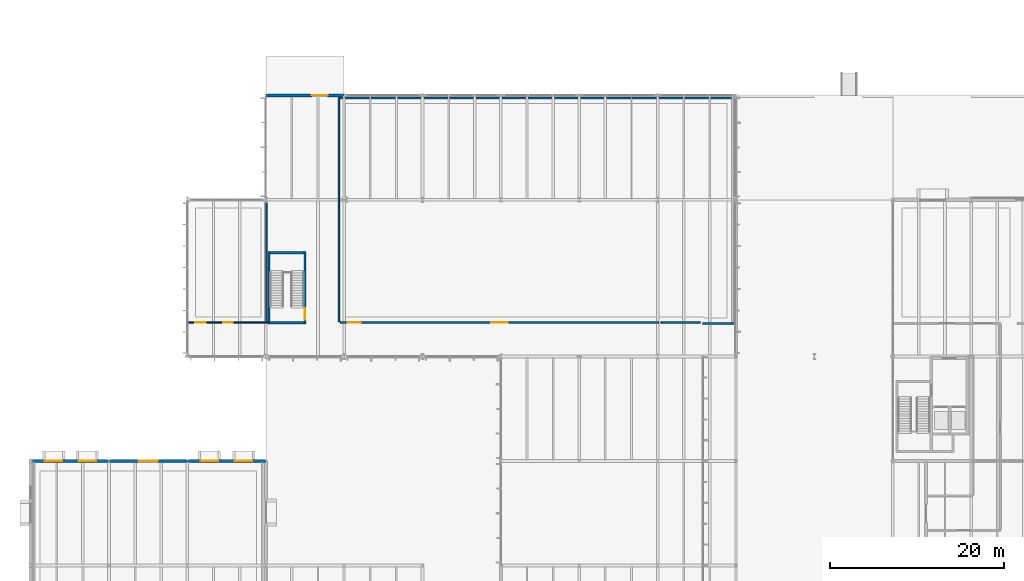
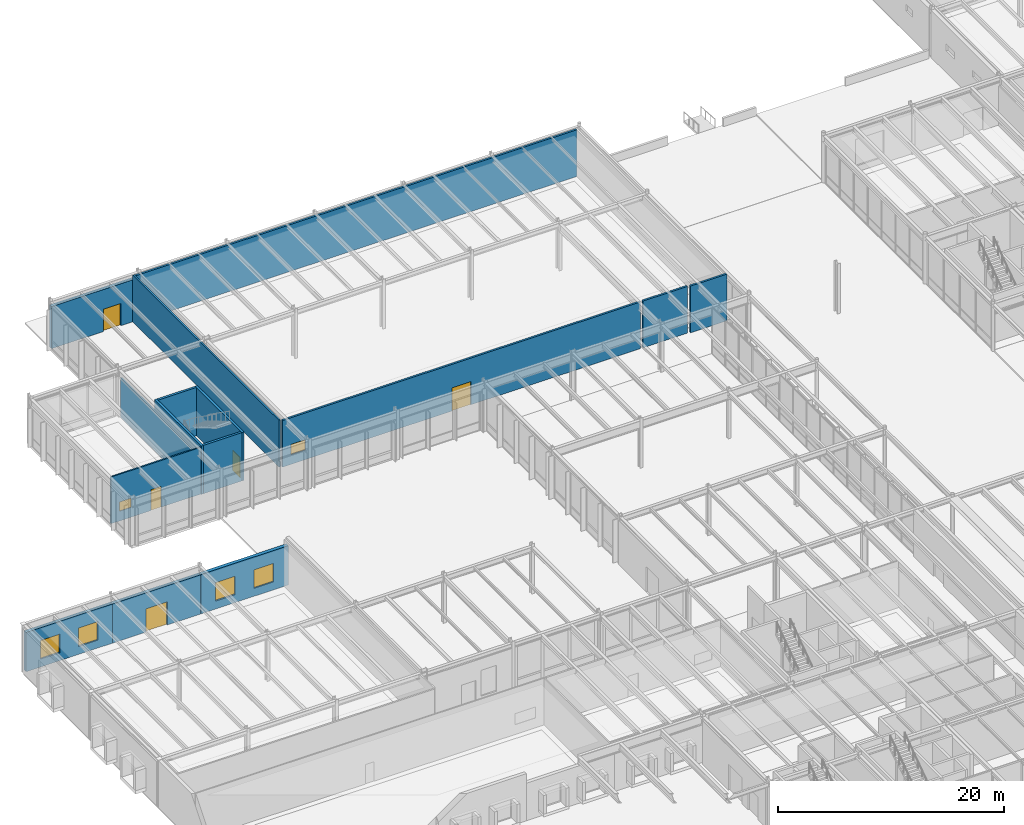
# One storey, part 125 of 143: 15 walls, 6 windows, 5 doors, 11 openings.
"""IFC4 building model written with IfcOpenShell, lengths in metres."""

from ifc_helpers import new_model, si_unit, direction, frame, frame_2d, origin, place, context, subcontext, project, spatial, rectangle, extrude, material, layer, layer_set, type_object, element, fill, save


model = new_model("IFC4")

# Units and contexts
model_context = context("Model", 3, precision=1e-05, world=origin(), true_north=direction((0.0, 1.0)))
body_context = subcontext(model_context, "Body", "Model", "MODEL_VIEW")
ifc_project = project(units=[si_unit("LENGTHUNIT", "METRE"), si_unit("AREAUNIT", "SQUARE_METRE"), si_unit("VOLUMEUNIT", "CUBIC_METRE"), si_unit("PLANEANGLEUNIT", "RADIAN"), si_unit("MASSUNIT", "GRAM", prefix="KILO")], contexts=[model_context])

# Site, building, storey
site_placement = place(None, origin())
site = spatial("IfcSite", under=ifc_project, at=site_placement, CompositionType="ELEMENT")
building_placement = place(site_placement, origin())
building = spatial("IfcBuilding", under=site, at=building_placement, Name="Montelvaro Courts of Justice", CompositionType="ELEMENT")
storey_placement = place(building_placement, origin())
storey = spatial("IfcBuildingStorey", under=building, at=storey_placement, Name="L00", CompositionType="ELEMENT", Elevation=0.0)

# Wall
ifc_material_1 = material(Name="Gypsum board on metal stud")
ifc_layer_1 = layer(ifc_material_1, 0.14990234375)
ifc_layer_set_1 = layer_set([ifc_layer_1], Name="Gypsum board on metal stud")
wall_type_1 = type_object("IfcWallType", Name="ChambersPartition_150", PredefinedType="PARTITIONING", material=ifc_layer_set_1)
wall_1_placement = place(storey_placement, frame((27.10009765625, 95.6201171875, 0.0), z_axis=(0.0, 0.0, 1.0), x_axis=(0.0, -1.0, 0.0)))
element("IfcWall", 1, at=wall_1_placement, inside=storey, type_object=wall_type_1, Name="Interior Partition IW-04 (L00)", PredefinedType="PARTITIONING", context=body_context, shape_type="SweptSolid", body=[
    extrude(rectangle(XDim=13.64013671875, YDim=0.14990234375, at=frame_2d((6.820068359375, 0.0))), origin(), (0.0, 0.0, 1.0), 4.27490234375),
])

# Wall, openings, door, window
wall_2_placement = place(storey_placement, frame((27.264892578125, 81.89990234375, 0.0), z_axis=(0.0, 0.0, 1.0), x_axis=(-1.0, 0.0, 0.0)))
wall_2 = element("IfcWall", 2, at=wall_2_placement, inside=storey, type_object=wall_type_1, Name="Interior Partition IW-04 (L00)", PredefinedType="PARTITIONING", context=body_context, shape_type="SweptSolid", body=[
    extrude(rectangle(XDim=9.18994140625, YDim=0.14990234375, at=frame_2d((4.594970703125, 0.0))), origin(), (0.0, 0.0, 1.0), 5.0400390625),
])
opening_1_placement = place(wall_2_placement, frame((4.070068359375, 0.0, 0.0)))
opening_1 = element("IfcOpeningElement", 3, at=opening_1_placement, cuts=wall_2, Name="Opening D-L00-033", PredefinedType="OPENING", context=body_context, shape_type="SweptSolid", body=[
    extrude(rectangle(XDim=1.050048828125, YDim=2.25, at=frame_2d((0.52490234375, 1.125))), frame((0.0, 0.08984375, 0.0), z_axis=(0.0, -1.0, 0.0), x_axis=(1.0, 0.0, 0.0)), (0.0, 0.0, 1.0), 0.1796875),
])
opening_2_placement = place(wall_2_placement, frame((7.139892578125, 0.0, 1.050048828125)))
opening_2 = element("IfcOpeningElement", 4, at=opening_2_placement, cuts=wall_2, Name="Opening WI-03", PredefinedType="OPENING", context=body_context, shape_type="SweptSolid", body=[
    extrude(rectangle(XDim=1.199951171875, YDim=1.0, at=frame_2d((0.60009765625, 0.5))), frame((0.0, 0.08984375, 0.0), z_axis=(0.0, -1.0, 0.0), x_axis=(1.0, 0.0, 0.0)), (0.0, 0.0, 1.0), 0.1796875),
])
ifc_material_2 = material(Name="Acoustic oak timber veneer", Category="wood")
door_type_1 = type_object("IfcDoorType", Name="ChamberDoor_105x225", OperationType="NOTDEFINED", PredefinedType="DOOR", material=ifc_material_2)
door_1_placement = place(opening_1_placement, frame((1.050048828125, 0.0, 0.0), z_axis=(0.0, 0.0, 1.0), x_axis=(-1.0, 0.0, 0.0)))
door_1 = element("IfcDoor", 5, at=door_1_placement, inside=storey, type_object=door_type_1, Name="Interior Door D-L00-033 (Judicial Robing and Protocol Suite)", OperationType="SINGLE_SWING_LEFT", OverallHeight=2.25, OverallWidth=1.050048828125, PredefinedType="DOOR", context=body_context, shape_type="SweptSolid", body=[
    extrude(rectangle(XDim=1.050048828125, YDim=2.25, at=frame_2d((0.52490234375, 1.125))), frame((0.0, 0.02490234375, 0.0), z_axis=(0.0, -1.0, 0.0), x_axis=(1.0, 0.0, 0.0)), (0.0, 0.0, 1.0), 0.050048828125),
])
fill(opening_1, door_1)
ifc_material_3 = material(Name="Acoustic laminated double glazing", Category="glass")
window_type_1 = type_object("IfcWindowType", Name="IntVision_120x100", PartitioningType="SINGLE_PANEL", PredefinedType="WINDOW", material=ifc_material_3)
window_1_placement = place(opening_2_placement, origin())
window_1 = element("IfcWindow", 6, at=window_1_placement, inside=storey, type_object=window_type_1, Name="Interior Vision Panel WI-015", OverallHeight=1.0, OverallWidth=1.199951171875, PartitioningType="SINGLE_PANEL", PredefinedType="WINDOW", context=body_context, shape_type="SweptSolid", body=[
    extrude(rectangle(XDim=1.199951171875, YDim=1.0, at=frame_2d((0.60009765625, 0.5))), frame((0.0, 0.030029296875, 0.0), z_axis=(0.0, -1.0, 0.0), x_axis=(1.0, 0.0, 0.0)), (0.0, 0.0, 1.0), 0.06005859375),
])
fill(opening_2, window_1)

# Walls
ifc_material_4 = material(Name="Fire-rated gypsum and steel stud", Category="steel")
ifc_layer_2 = layer(ifc_material_4, 0.179931640625)
ifc_layer_set_2 = layer_set([ifc_layer_2], Name="Fire-rated gypsum and steel stud")
wall_type_2 = type_object("IfcWallType", Name="CorridorFireWall_180", PredefinedType="PARTITIONING", material=ifc_layer_set_2)
wall_3_placement = place(storey_placement, frame((35.39990234375, 107.830078125, 0.0), z_axis=(0.0, 0.0, 1.0), x_axis=(0.0, -1.0, 0.0)))
element("IfcWall", 7, at=wall_3_placement, inside=storey, type_object=wall_type_2, Name="Interior Partition IW-02 (L00)", PredefinedType="PARTITIONING", context=body_context, shape_type="SweptSolid", body=[
    extrude(rectangle(XDim=25.85009765625, YDim=0.179931640625, at=frame_2d((12.925048828125, 0.0))), origin(), (0.0, 0.0, 1.0), 5.0400390625),
])
ifc_material_5 = material(Name="Gypsum acoustic double stud with mineral wool")
ifc_layer_3 = layer(ifc_material_5, 0.199951171875)
ifc_layer_set_3 = layer_set([ifc_layer_3], Name="Gypsum acoustic double stud with mineral wool")
wall_type_3 = type_object("IfcWallType", Name="CourtAcousticWall_200", PredefinedType="PARTITIONING", material=ifc_layer_set_3)
wall_4_placement = place(storey_placement, frame((76.919921875, 81.89990234375, 0.0), z_axis=(0.0, 0.0, 1.0), x_axis=(-1.0, 0.0, 0.0)))
element("IfcWall", 8, at=wall_4_placement, inside=storey, type_object=wall_type_3, Name="Interior Partition IW-01 (L00)", PredefinedType="PARTITIONING", context=body_context, shape_type="SweptSolid", body=[
    extrude(rectangle(XDim=4.5400390625, YDim=0.199951171875, at=frame_2d((2.27001953125, 0.0))), origin(), (0.0, 0.0, 1.0), 5.0400390625),
])

# Wall, openings, door, window
wall_5_placement = place(storey_placement, frame((72.1201171875, 81.89990234375, 0.0), z_axis=(0.0, 0.0, 1.0), x_axis=(-1.0, 0.0, 0.0)))
wall_5 = element("IfcWall", 9, at=wall_5_placement, inside=storey, type_object=wall_type_3, Name="Interior Partition IW-01 (L00)", PredefinedType="PARTITIONING", context=body_context, shape_type="SweptSolid", body=[
    extrude(rectangle(XDim=36.5400390625, YDim=0.199951171875, at=frame_2d((18.27001953125, 0.0))), origin(), (0.0, 0.0, 1.0), 5.0400390625),
])
opening_3_placement = place(wall_5_placement, frame((17.320068359375, 0.0, 0.0)))
opening_3 = element("IfcOpeningElement", 10, at=opening_3_placement, cuts=wall_5, Name="Opening D-L00-032", PredefinedType="OPENING", context=body_context, shape_type="SweptSolid", body=[
    extrude(rectangle(XDim=1.89990234375, YDim=2.5, at=frame_2d((0.949951171875, 1.25))), frame((0.0, 0.11474609375, 0.0), z_axis=(0.0, -1.0, 0.0), x_axis=(1.0, 0.0, 0.0)), (0.0, 0.0, 1.0), 0.229736328125),
])
opening_4_placement = place(wall_5_placement, frame((34.18994140625, 0.0, 1.050048828125)))
opening_4 = element("IfcOpeningElement", 11, at=opening_4_placement, cuts=wall_5, Name="Opening WI-02", PredefinedType="OPENING", context=body_context, shape_type="SweptSolid", body=[
    extrude(rectangle(XDim=1.5, YDim=1.10009765625, at=frame_2d((0.75, 0.550048828125))), frame((0.0, 0.11474609375, 0.0), z_axis=(0.0, -1.0, 0.0), x_axis=(1.0, 0.0, 0.0)), (0.0, 0.0, 1.0), 0.229736328125),
])
door_type_2 = type_object("IfcDoorType", Name="CourtDoor_190x250", OperationType="DOUBLE_DOOR_SINGLE_SWING", PredefinedType="DOOR", material=ifc_material_2)
door_2_placement = place(opening_3_placement, origin())
door_2 = element("IfcDoor", 12, at=door_2_placement, inside=storey, type_object=door_type_2, Name="Interior Door D-L00-032 (Ceremonial Courtroom)", OperationType="DOUBLE_DOOR_SINGLE_SWING", OverallHeight=2.5, OverallWidth=1.89990234375, PredefinedType="DOOR", context=body_context, shape_type="SweptSolid", body=[
    extrude(rectangle(XDim=1.89990234375, YDim=2.5, at=frame_2d((0.949951171875, 1.25))), frame((0.0, 0.02490234375, 0.0), z_axis=(0.0, -1.0, 0.0), x_axis=(1.0, 0.0, 0.0)), (0.0, 0.0, 1.0), 0.050048828125),
])
fill(opening_3, door_2)
window_type_2 = type_object("IfcWindowType", Name="IntVision_150x110", PartitioningType="SINGLE_PANEL", PredefinedType="WINDOW", material=ifc_material_3)
window_2_placement = place(opening_4_placement, origin())
window_2 = element("IfcWindow", 13, at=window_2_placement, inside=storey, type_object=window_type_2, Name="Interior Vision Panel WI-014", OverallHeight=1.10009765625, OverallWidth=1.5, PartitioningType="SINGLE_PANEL", PredefinedType="WINDOW", context=body_context, shape_type="SweptSolid", body=[
    extrude(rectangle(XDim=1.5, YDim=1.10009765625, at=frame_2d((0.75, 0.550048828125))), frame((0.0, 0.030029296875, 0.0), z_axis=(0.0, -1.0, 0.0), x_axis=(1.0, 0.0, 0.0)), (0.0, 0.0, 1.0), 0.06005859375),
])
fill(opening_4, window_2)

# Walls
wall_6_placement = place(storey_placement, frame((35.485107421875, 107.699951171875, 0.0), z_axis=(0.0, 0.0, 1.0), x_axis=(1.0, 0.0, 0.0)))
element("IfcWall", 14, at=wall_6_placement, inside=storey, type_object=wall_type_3, Name="Interior Partition IW-01 (L00)", PredefinedType="PARTITIONING", context=body_context, shape_type="SweptSolid", body=[
    extrude(rectangle(XDim=45.034912109375, YDim=0.199951171875, at=frame_2d((22.517578125, 0.0))), origin(), (0.0, 0.0, 1.0), 5.0400390625),
])
wall_7_placement = place(storey_placement, frame((80.875, 81.800048828125, 0.0), z_axis=(0.0, 0.0, 1.0), x_axis=(-1.0, 0.0, 0.0)))
element("IfcWall", 15, at=wall_7_placement, inside=storey, type_object=wall_type_3, Name="Interior Partition IW-01 (L00)", PredefinedType="PARTITIONING", context=body_context, shape_type="SweptSolid", body=[
    extrude(rectangle(XDim=3.695068359375, YDim=0.199951171875, at=frame_2d((1.84765625, 0.0))), origin(), (0.0, 0.0, 1.0), 5.0400390625),
])

# Wall, opening, door
ifc_material_6 = material(Name="Precast concrete C45/55", Category="concrete")
ifc_layer_4 = layer(ifc_material_6, 0.35009765625)
ifc_layer_set_4 = layer_set([ifc_layer_4], Name="Precast concrete C45/55")
wall_type_4 = type_object("IfcWallType", Name="ExtWall_Limestone_350", PredefinedType="SOLIDWALL", material=ifc_layer_set_4)
wall_8_placement = place(storey_placement, frame((35.991943359375, 108.0, 0.0), z_axis=(0.0, 0.0, 1.0), x_axis=(-1.0, 0.0, 0.0)))
wall_8 = element("IfcWall", 16, at=wall_8_placement, inside=storey, type_object=wall_type_4, Name="Exterior Facade Wall EW-03 (L00)", PredefinedType="SOLIDWALL", context=body_context, shape_type="SweptSolid", body=[
    extrude(rectangle(XDim=8.98388671875, YDim=0.35009765625, at=frame_2d((4.491943359375, 0.0))), origin(), (0.0, 0.0, 1.0), 4.534912109375),
])
opening_5_placement = place(wall_8_placement, frame((1.89208984375, 0.0, 0.0)))
opening_5 = element("IfcOpeningElement", 17, at=opening_5_placement, cuts=wall_8, Name="Opening ED-07", PredefinedType="OPENING", context=body_context, shape_type="SweptSolid", body=[
    extrude(rectangle(XDim=1.800048828125, YDim=2.39990234375, at=frame_2d((0.89990234375, 1.199951171875))), frame((0.0, 0.18994140625, 0.0), z_axis=(0.0, -1.0, 0.0), x_axis=(1.0, 0.0, 0.0)), (0.0, 0.0, 1.0), 0.3798828125),
])
ifc_material_7 = material(Name="Galvanised steel S355 fire door", Category="steel")
door_type_3 = type_object("IfcDoorType", Name="ExtDoor_Exit_180x240", OperationType="DOUBLE_DOOR_SINGLE_SWING", PredefinedType="DOOR", material=ifc_material_7)
door_3_placement = place(opening_5_placement, frame((1.800048828125, 0.0, 0.0), z_axis=(0.0, 0.0, 1.0), x_axis=(-1.0, 0.0, 0.0)))
door_3 = element("IfcDoor", 18, at=door_3_placement, inside=storey, type_object=door_type_3, Name="Final Pedestrian Exit ED-07 Stair ST-P1", OperationType="DOUBLE_DOOR_SINGLE_SWING", OverallHeight=2.39990234375, OverallWidth=1.800048828125, PredefinedType="DOOR", context=body_context, shape_type="SweptSolid", body=[
    extrude(rectangle(XDim=1.800048828125, YDim=2.39990234375, at=frame_2d((0.89990234375, 1.199951171875))), frame((0.0, 0.02490234375, 0.0), z_axis=(0.0, -1.0, 0.0), x_axis=(1.0, 0.0, 0.0)), (0.0, 0.0, 1.0), 0.050048828125),
])
fill(opening_5, door_3)

# Wall, openings, windows
wall_9_placement = place(storey_placement, frame((26.9599609375, 66.0, 0.0), z_axis=(0.0, 0.0, 1.0), x_axis=(-1.0, 0.0, 0.0)))
wall_9 = element("IfcWall", 19, at=wall_9_placement, inside=storey, type_object=wall_type_4, Name="Exterior Facade Wall EW-03 (L00)", PredefinedType="SOLIDWALL", context=body_context, shape_type="SweptSolid", body=[
    extrude(rectangle(XDim=8.951904296875, YDim=0.35009765625, at=frame_2d((4.47607421875, 0.0))), origin(), (0.0, 0.0, 1.0), 4.2451171875),
])
opening_6_placement = place(wall_9_placement, frame((1.507080078125, 0.0, 0.85009765625)))
opening_6 = element("IfcOpeningElement", 20, at=opening_6_placement, cuts=wall_9, Name="Opening WE-11", PredefinedType="OPENING", context=body_context, shape_type="SweptSolid", body=[
    extrude(rectangle(XDim=2.0, YDim=2.0, at=frame_2d((1.0, 1.0))), frame((0.0, 0.18994140625, 0.0), z_axis=(0.0, -1.0, 0.0), x_axis=(1.0, 0.0, 0.0)), (0.0, 0.0, 1.0), 0.3798828125),
])
opening_7_placement = place(wall_9_placement, frame((5.445068359375, 0.0, 0.85009765625)))
opening_7 = element("IfcOpeningElement", 21, at=opening_7_placement, cuts=wall_9, Name="Opening WE-11", PredefinedType="OPENING", context=body_context, shape_type="SweptSolid", body=[
    extrude(rectangle(XDim=2.0, YDim=2.0, at=frame_2d((1.0, 1.0))), frame((0.0, 0.18994140625, 0.0), z_axis=(0.0, -1.0, 0.0), x_axis=(1.0, 0.0, 0.0)), (0.0, 0.0, 1.0), 0.3798828125),
])
ifc_material_8 = material(Name="Low-E solar control double glazing", Category="glass")
window_type_3 = type_object("IfcWindowType", Name="Win_Sq_200x200", PartitioningType="SINGLE_PANEL", PredefinedType="WINDOW", material=ifc_material_8)
window_3_placement = place(opening_6_placement, origin())
window_3 = element("IfcWindow", 22, at=window_3_placement, inside=storey, type_object=window_type_3, Name="Window W-L00-013", OverallHeight=2.0, OverallWidth=2.0, PartitioningType="SINGLE_PANEL", PredefinedType="WINDOW", context=body_context, shape_type="SweptSolid", body=[
    extrude(rectangle(XDim=2.0, YDim=2.0, at=frame_2d((1.0, 1.0))), frame((0.0, 0.030029296875, 0.0), z_axis=(0.0, -1.0, 0.0), x_axis=(1.0, 0.0, 0.0)), (0.0, 0.0, 1.0), 0.06005859375),
])
fill(opening_6, window_3)
window_4_placement = place(opening_7_placement, origin())
window_4 = element("IfcWindow", 23, at=window_4_placement, inside=storey, type_object=window_type_3, Name="Window W-L00-014", OverallHeight=2.0, OverallWidth=2.0, PartitioningType="SINGLE_PANEL", PredefinedType="WINDOW", context=body_context, shape_type="SweptSolid", body=[
    extrude(rectangle(XDim=2.0, YDim=2.0, at=frame_2d((1.0, 1.0))), frame((0.0, 0.030029296875, 0.0), z_axis=(0.0, -1.0, 0.0), x_axis=(1.0, 0.0, 0.0)), (0.0, 0.0, 1.0), 0.06005859375),
])
fill(opening_7, window_4)

# Wall, opening, door
wall_10_placement = place(storey_placement, frame((17.991943359375, 66.0, 0.0), z_axis=(0.0, 0.0, 1.0), x_axis=(-1.0, 0.0, 0.0)))
wall_10 = element("IfcWall", 24, at=wall_10_placement, inside=storey, type_object=wall_type_4, Name="Exterior Facade Wall EW-03 (L00)", PredefinedType="SOLIDWALL", context=body_context, shape_type="SweptSolid", body=[
    extrude(rectangle(XDim=8.98388671875, YDim=0.35009765625, at=frame_2d((4.491943359375, 0.0))), origin(), (0.0, 0.0, 1.0), 4.2451171875),
])
opening_8_placement = place(wall_10_placement, frame((3.39208984375, 0.0, 0.0)))
opening_8 = element("IfcOpeningElement", 25, at=opening_8_placement, cuts=wall_10, Name="Opening SG-03A", PredefinedType="OPENING", context=body_context, shape_type="SweptSolid", body=[
    extrude(rectangle(XDim=2.199951171875, YDim=2.5, at=frame_2d((1.10009765625, 1.25))), frame((0.0, 0.18994140625, 0.0), z_axis=(0.0, -1.0, 0.0), x_axis=(1.0, 0.0, 0.0)), (0.0, 0.0, 1.0), 0.3798828125),
])
ifc_material_9 = material(Name="Anodised aluminium and laminated safety glass", Category="aluminium")
door_type_4 = type_object("IfcDoorType", Name="SecGate_220x250", OperationType="DOUBLE_DOOR_SINGLE_SWING", PredefinedType="GATE", material=ifc_material_9)
door_4_placement = place(opening_8_placement, frame((2.199951171875, 0.0, 0.0), z_axis=(0.0, 0.0, 1.0), x_axis=(-1.0, 0.0, 0.0)))
door_4 = element("IfcDoor", 26, at=door_4_placement, inside=storey, type_object=door_type_4, Name="Perimeter Security Gate SG-03A", OperationType="DOUBLE_DOOR_SINGLE_SWING", OverallHeight=2.5, OverallWidth=2.199951171875, PredefinedType="GATE", context=body_context, shape_type="SweptSolid", body=[
    extrude(rectangle(XDim=2.199951171875, YDim=2.5, at=frame_2d((1.10009765625, 1.25))), frame((0.0, 0.02490234375, 0.0), z_axis=(0.0, -1.0, 0.0), x_axis=(1.0, 0.0, 0.0)), (0.0, 0.0, 1.0), 0.050048828125),
])
fill(opening_8, door_4)

# Wall, openings, windows
wall_11_placement = place(storey_placement, frame((8.991943359375, 66.0, 0.0), z_axis=(0.0, 0.0, 1.0), x_axis=(-1.0, 0.0, 0.0)))
wall_11 = element("IfcWall", 27, at=wall_11_placement, inside=storey, type_object=wall_type_4, Name="Exterior Facade Wall EW-03 (L00)", PredefinedType="SOLIDWALL", context=body_context, shape_type="SweptSolid", body=[
    extrude(rectangle(XDim=8.833984375, YDim=0.35009765625, at=frame_2d((4.4169921875, 0.0))), origin(), (0.0, 0.0, 1.0), 4.2451171875),
])
opening_9_placement = place(wall_11_placement, frame((1.47412109375, 0.0, 0.85009765625)))
opening_9 = element("IfcOpeningElement", 28, at=opening_9_placement, cuts=wall_11, Name="Opening WE-11", PredefinedType="OPENING", context=body_context, shape_type="SweptSolid", body=[
    extrude(rectangle(XDim=2.0, YDim=2.0, at=frame_2d((1.0, 1.0))), frame((0.0, 0.18994140625, 0.0), z_axis=(0.0, -1.0, 0.0), x_axis=(1.0, 0.0, 0.0)), (0.0, 0.0, 1.0), 0.3798828125),
])
opening_10_placement = place(wall_11_placement, frame((5.360107421875, 0.0, 0.85009765625)))
opening_10 = element("IfcOpeningElement", 29, at=opening_10_placement, cuts=wall_11, Name="Opening WE-11", PredefinedType="OPENING", context=body_context, shape_type="SweptSolid", body=[
    extrude(rectangle(XDim=2.0, YDim=2.0, at=frame_2d((1.0, 1.0))), frame((0.0, 0.18994140625, 0.0), z_axis=(0.0, -1.0, 0.0), x_axis=(1.0, 0.0, 0.0)), (0.0, 0.0, 1.0), 0.3798828125),
])
window_5_placement = place(opening_9_placement, origin())
window_5 = element("IfcWindow", 30, at=window_5_placement, inside=storey, type_object=window_type_3, Name="Window W-L00-015", OverallHeight=2.0, OverallWidth=2.0, PartitioningType="SINGLE_PANEL", PredefinedType="WINDOW", context=body_context, shape_type="SweptSolid", body=[
    extrude(rectangle(XDim=2.0, YDim=2.0, at=frame_2d((1.0, 1.0))), frame((0.0, 0.030029296875, 0.0), z_axis=(0.0, -1.0, 0.0), x_axis=(1.0, 0.0, 0.0)), (0.0, 0.0, 1.0), 0.06005859375),
])
fill(opening_9, window_5)
window_6_placement = place(opening_10_placement, origin())
window_6 = element("IfcWindow", 31, at=window_6_placement, inside=storey, type_object=window_type_3, Name="Window W-L00-016", OverallHeight=2.0, OverallWidth=2.0, PartitioningType="SINGLE_PANEL", PredefinedType="WINDOW", context=body_context, shape_type="SweptSolid", body=[
    extrude(rectangle(XDim=2.0, YDim=2.0, at=frame_2d((1.0, 1.0))), frame((0.0, 0.030029296875, 0.0), z_axis=(0.0, -1.0, 0.0), x_axis=(1.0, 0.0, 0.0)), (0.0, 0.0, 1.0), 0.06005859375),
])
fill(opening_10, window_6)

# Wall
ifc_material_10 = material(Name="Concrete C35/45", Category="concrete")
ifc_layer_5 = layer(ifc_material_10, 0.239990234375)
ifc_layer_set_5 = layer_set([ifc_layer_5], Name="Concrete C35/45")
wall_type_5 = type_object("IfcWallType", Name="ShaftWall_240", PredefinedType="SHEAR", material=ifc_layer_set_5)
wall_12_placement = place(storey_placement, frame((27.3798828125, 81.760009765625, 0.0), z_axis=(0.0, 0.0, 1.0), x_axis=(0.0, 1.0, 0.0)))
element("IfcWall", 32, at=wall_12_placement, inside=storey, type_object=wall_type_5, Name="Protected Stair Structural Wall ST-P1-W (L00)", PredefinedType="SHEAR", context=body_context, shape_type="SweptSolid", body=[
    extrude(rectangle(XDim=8.280029296875, YDim=0.239990234375, at=frame_2d((4.14013671875, 0.0))), origin(), (0.0, 0.0, 1.0), 5.2099609375),
])

# Wall, opening, door
wall_13_placement = place(storey_placement, frame((31.52001953125, 81.760009765625, 0.0), z_axis=(0.0, 0.0, 1.0), x_axis=(0.0, 1.0, 0.0)))
wall_13 = element("IfcWall", 33, at=wall_13_placement, inside=storey, type_object=wall_type_5, Name="Protected Stair Structural Wall ST-P1-E (L00)", PredefinedType="SHEAR", context=body_context, shape_type="SweptSolid", body=[
    extrude(rectangle(XDim=8.280029296875, YDim=0.239990234375, at=frame_2d((4.14013671875, 0.0))), origin(), (0.0, 0.0, 1.0), 5.2099609375),
])
opening_11_placement = place(wall_13_placement, frame((0.489990234375, 0.0, 0.0)))
opening_11 = element("IfcOpeningElement", 34, at=opening_11_placement, cuts=wall_13, Name="Opening DS-L00-SP1", PredefinedType="OPENING", context=body_context, shape_type="SweptSolid", body=[
    extrude(rectangle(XDim=1.300048828125, YDim=2.199951171875, at=frame_2d((0.64990234375, 1.10009765625))), frame((0.0, 0.134765625, 0.0), z_axis=(0.0, -1.0, 0.0), x_axis=(1.0, 0.0, 0.0)), (0.0, 0.0, 1.0), 0.269775390625),
])
ifc_material_11 = material(Name="Galvanised steel S355 security door", Category="steel")
door_type_5 = type_object("IfcDoorType", Name="StairFireDoor_130x220", OperationType="NOTDEFINED", PredefinedType="DOOR", material=ifc_material_11)
door_5_placement = place(opening_11_placement, frame((1.300048828125, 0.0, 0.0), z_axis=(0.0, 0.0, 1.0), x_axis=(-1.0, 0.0, 0.0)))
door_5 = element("IfcDoor", 35, at=door_5_placement, inside=storey, type_object=door_type_5, Name="Protected Stair Fire Door DS-L00-SP1", OperationType="SINGLE_SWING_LEFT", OverallHeight=2.199951171875, OverallWidth=1.300048828125, PredefinedType="DOOR", context=body_context, shape_type="SweptSolid", body=[
    extrude(rectangle(XDim=1.300048828125, YDim=2.199951171875, at=frame_2d((0.64990234375, 1.10009765625))), frame((0.0, 0.02490234375, 0.0), z_axis=(0.0, -1.0, 0.0), x_axis=(1.0, 0.0, 0.0)), (0.0, 0.0, 1.0), 0.050048828125),
])
fill(opening_11, door_5)

# Walls
for number, where, z_axis, x_axis, name in (
    (36, (27.5, 81.8798828125, 0.0), (0.0, 0.0, 1.0), (1.0, 0.0, 0.0), "Protected Stair Structural Wall ST-P1-S (L00)"),
    (37, (27.5, 89.919921875, 0.0), (0.0, 0.0, 1.0), (1.0, 0.0, 0.0), "Protected Stair Structural Wall ST-P1-N (L00)"),
):
    element("IfcWall", number, at=place(storey_placement, frame(where, z_axis=z_axis, x_axis=x_axis)), inside=storey, type_object=wall_type_5, Name=name, PredefinedType="SHEAR", context=body_context, shape_type="SweptSolid", body=[
        extrude(rectangle(XDim=3.89990234375, YDim=0.239990234375, at=frame_2d((1.949951171875, 0.0))), origin(), (0.0, 0.0, 1.0), 5.2099609375),
    ])

save(model, "model.ifc")
